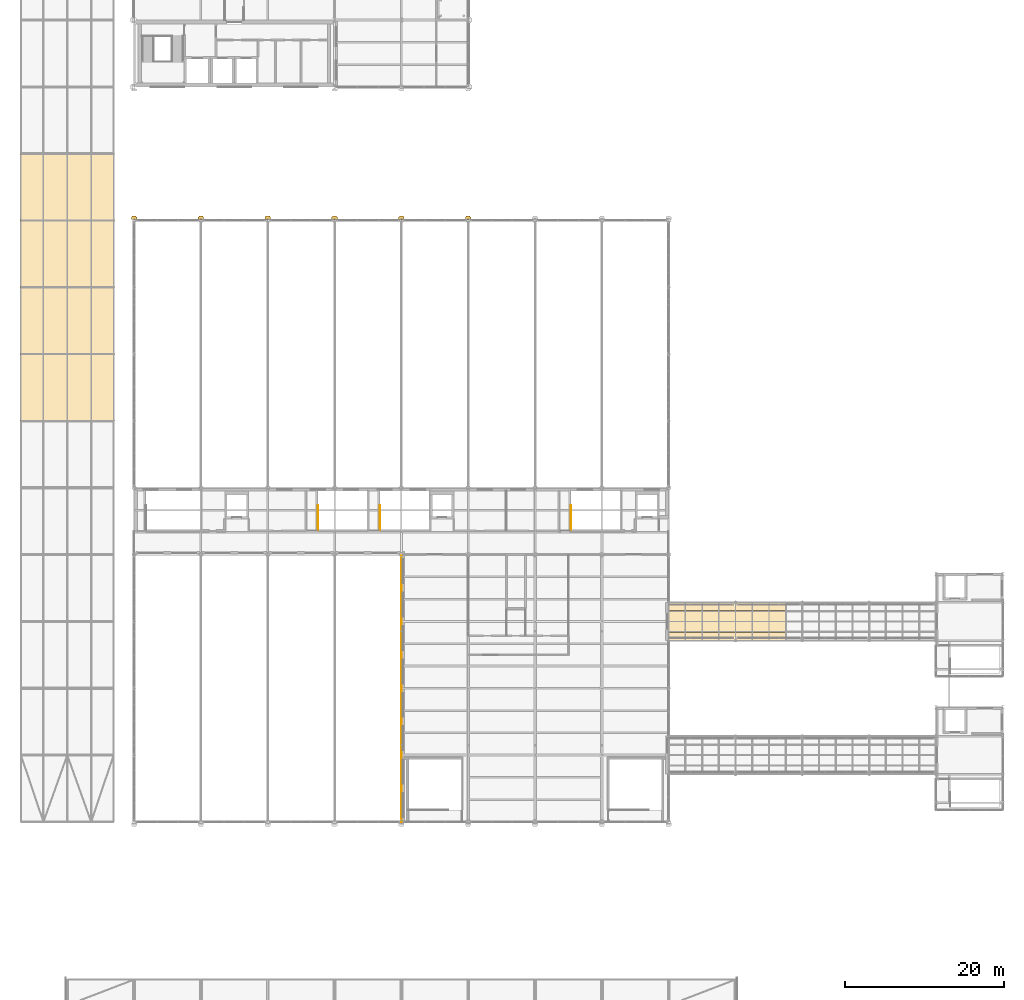
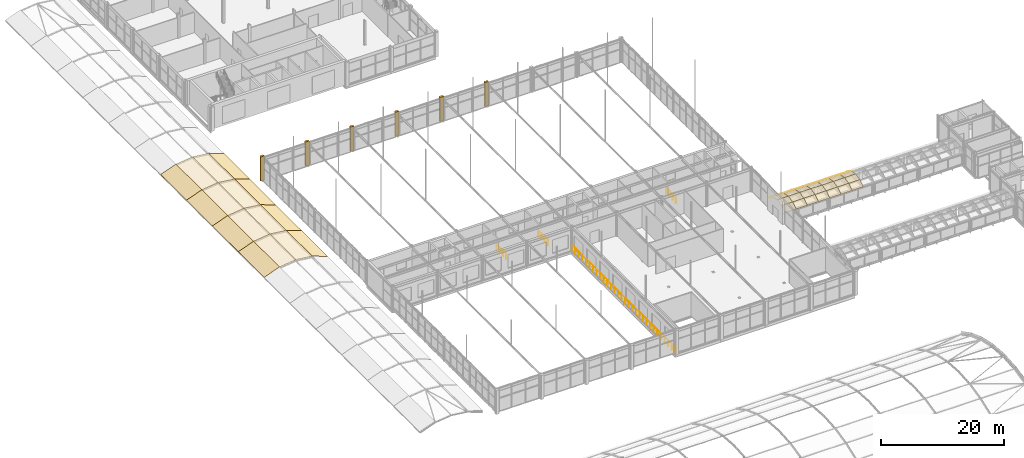
# One storey, part 161 of 167: 50 coverings, 4 railings.
"""IFC4 building model written with IfcOpenShell, lengths in metres."""

from ifc_helpers import new_model, si_unit, direction, frame, origin, origin_2d, place, context, subcontext, project, spatial, polyline, circle, outline, extrude, material, layer, layer_set, type_object, element, save


model = new_model("IFC4")

# Units and contexts
model_context = context("Model", 3, precision=1e-05, world=origin(), true_north=direction((0.0, 1.0)))
body_context = subcontext(model_context, "Body", "Model", "MODEL_VIEW")
ifc_project = project(units=[si_unit("LENGTHUNIT", "METRE"), si_unit("AREAUNIT", "SQUARE_METRE"), si_unit("VOLUMEUNIT", "CUBIC_METRE"), si_unit("PLANEANGLEUNIT", "RADIAN"), si_unit("MASSUNIT", "GRAM", prefix="KILO")], contexts=[model_context])

# Site, building, storey
site_placement = place(None, origin())
site = spatial("IfcSite", under=ifc_project, at=site_placement, CompositionType="ELEMENT")
building_placement = place(site_placement, origin())
building = spatial("IfcBuilding", under=site, at=building_placement, Name="Catenary Quay Ferry Terminal", CompositionType="ELEMENT")
storey_placement = place(building_placement, frame((0.0, 0.0, 6.0)))
storey = spatial("IfcBuildingStorey", under=building, at=storey_placement, Name="L01", CompositionType="ELEMENT", Elevation=6.0)

# Coverings
ifc_material_1 = material(Name="Ceramic tile")
ifc_layer_1 = layer(ifc_material_1, 0.0400390625)
ifc_layer_set_1 = layer_set([ifc_layer_1], Name="CL2")
covering_type_1 = type_object("IfcCoveringType", Name="CL2", PredefinedType="CLADDING", material=ifc_layer_set_1)
covering_1_placement = place(storey_placement, origin())
element("IfcCovering", 1, at=covering_1_placement, inside=storey, type_object=covering_type_1, Name="Ceramic pier casing", PredefinedType="CLADDING", context=body_context, shape_type="SweptSolid", body=[
    extrude(outline(polyline([(25.553955078125, 142.9541015625), (25.553955078125, 143.23388671875), (25.4541015625, 143.23388671875), (25.4541015625, 143.35400390625), (24.946044921875, 143.35400390625), (24.946044921875, 143.23388671875), (24.845947265625, 143.23388671875), (24.845947265625, 142.9541015625), (25.553955078125, 142.9541015625)])), origin(), (0.0, 0.0, 1.0), 4.800048828125),
])
covering_2_placement = place(storey_placement, origin())
element("IfcCovering", 2, at=covering_2_placement, inside=storey, type_object=covering_type_1, Name="Ceramic pier casing", PredefinedType="CLADDING", context=body_context, shape_type="SweptSolid", body=[
    extrude(outline(polyline([(33.9541015625, 142.9541015625), (33.9541015625, 143.23388671875), (33.85400390625, 143.23388671875), (33.85400390625, 143.35400390625), (33.345947265625, 143.35400390625), (33.345947265625, 143.23388671875), (33.24609375, 143.23388671875), (33.24609375, 142.9541015625), (33.9541015625, 142.9541015625)])), origin(), (0.0, 0.0, 1.0), 4.800048828125),
])
covering_3_placement = place(storey_placement, origin())
element("IfcCovering", 3, at=covering_3_placement, inside=storey, type_object=covering_type_1, Name="Ceramic pier casing", PredefinedType="CLADDING", context=body_context, shape_type="SweptSolid", body=[
    extrude(outline(polyline([(42.35400390625, 142.9541015625), (42.35400390625, 143.23388671875), (42.25390625, 143.23388671875), (42.25390625, 143.35400390625), (41.74609375, 143.35400390625), (41.74609375, 143.23388671875), (41.64599609375, 143.23388671875), (41.64599609375, 142.9541015625), (42.35400390625, 142.9541015625)])), origin(), (0.0, 0.0, 1.0), 4.800048828125),
])
covering_4_placement = place(storey_placement, origin())
element("IfcCovering", 4, at=covering_4_placement, inside=storey, type_object=covering_type_1, Name="Ceramic pier casing", PredefinedType="CLADDING", context=body_context, shape_type="SweptSolid", body=[
    extrude(outline(polyline([(50.75390625, 142.9541015625), (50.75390625, 143.23388671875), (50.654052734375, 143.23388671875), (50.654052734375, 143.35400390625), (50.14599609375, 143.35400390625), (50.14599609375, 143.23388671875), (50.0458984375, 143.23388671875), (50.0458984375, 142.9541015625), (50.75390625, 142.9541015625)])), origin(), (0.0, 0.0, 1.0), 4.800048828125),
])
covering_5_placement = place(storey_placement, origin())
element("IfcCovering", 5, at=covering_5_placement, inside=storey, type_object=covering_type_1, Name="Ceramic pier casing", PredefinedType="CLADDING", context=body_context, shape_type="SweptSolid", body=[
    extrude(outline(polyline([(59.154052734375, 142.9541015625), (59.154052734375, 143.23388671875), (59.053955078125, 143.23388671875), (59.053955078125, 143.35400390625), (58.5458984375, 143.35400390625), (58.5458984375, 143.23388671875), (58.446044921875, 143.23388671875), (58.446044921875, 142.9541015625), (59.154052734375, 142.9541015625)])), origin(), (0.0, 0.0, 1.0), 4.800048828125),
])
covering_6_placement = place(storey_placement, origin())
element("IfcCovering", 6, at=covering_6_placement, inside=storey, type_object=covering_type_1, Name="Ceramic pier casing", PredefinedType="CLADDING", context=body_context, shape_type="SweptSolid", body=[
    extrude(outline(polyline([(67.553955078125, 142.9541015625), (67.553955078125, 143.23388671875), (67.4541015625, 143.23388671875), (67.4541015625, 143.35400390625), (66.946044921875, 143.35400390625), (66.946044921875, 143.23388671875), (66.845947265625, 143.23388671875), (66.845947265625, 142.9541015625), (67.553955078125, 142.9541015625)])), origin(), (0.0, 0.0, 1.0), 4.800048828125),
])

# Railings
ifc_material_2 = material(Name="Steel and glass", Category="steel")
railing_type_1 = type_object("IfcRailingType", Name="GI1", PredefinedType="GUARDRAIL", material=ifc_material_2)
for number, where, name in (
    (7, (48.300048828125, 103.89990234375, 0.0), "TS2 well guard GI288"),
    (8, (80.10009765625, 103.89990234375, 0.0), "TS3 well guard GI298"),
    (9, (56.10009765625, 103.89990234375, 0.0), "TS4 well guard GI308"),
):
    element("IfcRailing", number, at=place(storey_placement, frame(where)), inside=storey, type_object=railing_type_1, Name=name, PredefinedType="GUARDRAIL", context=body_context, shape_type="SweptSolid", body=[
        extrude(circle(Radius=0.02392578125, at=origin_2d()), frame((0.0, 0.0, 1.076171875), z_axis=(0.0, 1.0, 0.0), x_axis=(-1.0, 0.0, 0.0)), (0.0, 0.0, 1.0), 3.10009765625),
        extrude(circle(Radius=0.02099609375, at=origin_2d()), origin(), (0.0, 0.0, 1.0), 1.052001953125),
        extrude(circle(Radius=0.02099609375, at=origin_2d()), frame((0.0, 1.033447265625, 0.0)), (0.0, 0.0, 1.0), 1.052001953125),
        extrude(circle(Radius=0.02099609375, at=origin_2d()), frame((0.0, 2.066650390625, 0.0)), (0.0, 0.0, 1.0), 1.052001953125),
        extrude(circle(Radius=0.02099609375, at=origin_2d()), frame((0.0, 3.10009765625, 0.0)), (0.0, 0.0, 1.0), 1.052001953125),
    ])
ifc_material_3 = material(Name="Steel and glass", Category="steel")
railing_type_2 = type_object("IfcRailingType", Name="GI2", PredefinedType="GUARDRAIL", material=ifc_material_3)
railing_placement = place(storey_placement, frame((58.800048828125, 67.199951171875, 0.0)))
element("IfcRailing", 10, at=railing_placement, inside=storey, type_object=railing_type_2, Name="GR mezz guard GI2", PredefinedType="GUARDRAIL", context=body_context, shape_type="SweptSolid", body=[
    extrude(circle(Radius=0.02392578125, at=origin_2d()), frame((0.0, 0.0, 1.076171875), z_axis=(0.0, 1.0, 0.0), x_axis=(-1.0, 0.0, 0.0)), (0.0, 0.0, 1.0), 33.60009765625),
    extrude(circle(Radius=0.02099609375, at=origin_2d()), origin(), (0.0, 0.0, 1.0), 1.052001953125),
    extrude(circle(Radius=0.02099609375, at=origin_2d()), frame((0.0, 1.15869140625, 0.0)), (0.0, 0.0, 1.0), 1.052001953125),
    extrude(circle(Radius=0.02099609375, at=origin_2d()), frame((0.0, 2.317138671875, 0.0)), (0.0, 0.0, 1.0), 1.052001953125),
    extrude(circle(Radius=0.02099609375, at=origin_2d()), frame((0.0, 3.475830078125, 0.0)), (0.0, 0.0, 1.0), 1.052001953125),
    extrude(circle(Radius=0.02099609375, at=origin_2d()), frame((0.0, 4.634521484375, 0.0)), (0.0, 0.0, 1.0), 1.052001953125),
    extrude(circle(Radius=0.02099609375, at=origin_2d()), frame((0.0, 5.793212890625, 0.0)), (0.0, 0.0, 1.0), 1.052001953125),
    extrude(circle(Radius=0.02099609375, at=origin_2d()), frame((0.0, 6.95166015625, 0.0)), (0.0, 0.0, 1.0), 1.052001953125),
    extrude(circle(Radius=0.02099609375, at=origin_2d()), frame((0.0, 8.1103515625, 0.0)), (0.0, 0.0, 1.0), 1.052001953125),
    extrude(circle(Radius=0.02099609375, at=origin_2d()), frame((0.0, 9.26904296875, 0.0)), (0.0, 0.0, 1.0), 1.052001953125),
    extrude(circle(Radius=0.02099609375, at=origin_2d()), frame((0.0, 10.427734375, 0.0)), (0.0, 0.0, 1.0), 1.052001953125),
    extrude(circle(Radius=0.02099609375, at=origin_2d()), frame((0.0, 11.586181640625, 0.0)), (0.0, 0.0, 1.0), 1.052001953125),
    extrude(circle(Radius=0.02099609375, at=origin_2d()), frame((0.0, 12.744873046875, 0.0)), (0.0, 0.0, 1.0), 1.052001953125),
    extrude(circle(Radius=0.02099609375, at=origin_2d()), frame((0.0, 13.903564453125, 0.0)), (0.0, 0.0, 1.0), 1.052001953125),
    extrude(circle(Radius=0.02099609375, at=origin_2d()), frame((0.0, 15.06201171875, 0.0)), (0.0, 0.0, 1.0), 1.052001953125),
    extrude(circle(Radius=0.02099609375, at=origin_2d()), frame((0.0, 16.220703125, 0.0)), (0.0, 0.0, 1.0), 1.052001953125),
    extrude(circle(Radius=0.02099609375, at=origin_2d()), frame((0.0, 17.37939453125, 0.0)), (0.0, 0.0, 1.0), 1.052001953125),
    extrude(circle(Radius=0.02099609375, at=origin_2d()), frame((0.0, 18.5380859375, 0.0)), (0.0, 0.0, 1.0), 1.052001953125),
    extrude(circle(Radius=0.02099609375, at=origin_2d()), frame((0.0, 19.696533203125, 0.0)), (0.0, 0.0, 1.0), 1.052001953125),
    extrude(circle(Radius=0.02099609375, at=origin_2d()), frame((0.0, 20.855224609375, 0.0)), (0.0, 0.0, 1.0), 1.052001953125),
    extrude(circle(Radius=0.02099609375, at=origin_2d()), frame((0.0, 22.013916015625, 0.0)), (0.0, 0.0, 1.0), 1.052001953125),
    extrude(circle(Radius=0.02099609375, at=origin_2d()), frame((0.0, 23.17236328125, 0.0)), (0.0, 0.0, 1.0), 1.052001953125),
    extrude(circle(Radius=0.02099609375, at=origin_2d()), frame((0.0, 24.3310546875, 0.0)), (0.0, 0.0, 1.0), 1.052001953125),
    extrude(circle(Radius=0.02099609375, at=origin_2d()), frame((0.0, 25.48974609375, 0.0)), (0.0, 0.0, 1.0), 1.052001953125),
    extrude(circle(Radius=0.02099609375, at=origin_2d()), frame((0.0, 26.6484375, 0.0)), (0.0, 0.0, 1.0), 1.052001953125),
    extrude(circle(Radius=0.02099609375, at=origin_2d()), frame((0.0, 27.806884765625, 0.0)), (0.0, 0.0, 1.0), 1.052001953125),
    extrude(circle(Radius=0.02099609375, at=origin_2d()), frame((0.0, 28.965576171875, 0.0)), (0.0, 0.0, 1.0), 1.052001953125),
    extrude(circle(Radius=0.02099609375, at=origin_2d()), frame((0.0, 30.124267578125, 0.0)), (0.0, 0.0, 1.0), 1.052001953125),
    extrude(circle(Radius=0.02099609375, at=origin_2d()), frame((0.0, 31.282958984375, 0.0)), (0.0, 0.0, 1.0), 1.052001953125),
    extrude(circle(Radius=0.02099609375, at=origin_2d()), frame((0.0, 32.44140625, 0.0)), (0.0, 0.0, 1.0), 1.052001953125),
    extrude(circle(Radius=0.02099609375, at=origin_2d()), frame((0.0, 33.60009765625, 0.0)), (0.0, 0.0, 1.0), 1.052001953125),
])

# Coverings
ifc_material_4 = material(Name="Laminated glass", Category="glass")
ifc_layer_2 = layer(ifc_material_4, 0.030029296875)
ifc_layer_set_2 = layer_set([ifc_layer_2], Name="RF2")
covering_type_2 = type_object("IfcCoveringType", Name="RF2", PredefinedType="ROOFING", material=ifc_layer_set_2)
covering_7_placement = place(storey_placement, frame((10.858154296875, 117.60009765625, 1.2158203125), z_axis=(-0.346768604163, 0.0, 0.937950710414), x_axis=(0.0, 1.0, 0.0)))
element("IfcCovering", 11, at=covering_7_placement, inside=storey, type_object=covering_type_2, Name="Forecourt canopy roof", PredefinedType="ROOFING", context=body_context, shape_type="SweptSolid", body=[
    extrude(outline(polyline([(0.0, 0.0), (8.39990234375, 0.0), (8.39990234375, -3.0745635463365493), (0.0, -3.0745635463365493), (0.0, 0.0)])), origin(), (0.0, 0.0, -1.0), 0.031982421875),
])
covering_8_placement = place(storey_placement, frame((13.741943359375, 117.60009765625, 2.281982421875), z_axis=(-0.122181619395, 0.0, 0.992507759104), x_axis=(0.0, 1.0, 0.0)))
element("IfcCovering", 12, at=covering_8_placement, inside=storey, type_object=covering_type_2, Name="Forecourt canopy roof", PredefinedType="ROOFING", context=body_context, shape_type="SweptSolid", body=[
    extrude(outline(polyline([(0.0, 0.0), (8.39990234375, 0.0), (8.39990234375, -3.0811904901479834), (0.0, -3.0811904901479834), (0.0, 0.0)])), origin(), (0.0, 0.0, -1.0), 0.0302734375),
])
covering_9_placement = place(storey_placement, frame((16.800048828125, 117.60009765625, 2.658447265625), z_axis=(0.122191228771, 0.0, 0.992506576105), x_axis=(0.0, 1.0, 0.0)))
element("IfcCovering", 13, at=covering_9_placement, inside=storey, type_object=covering_type_2, Name="Forecourt canopy roof", PredefinedType="ROOFING", context=body_context, shape_type="SweptSolid", body=[
    extrude(outline(polyline([(0.0, 0.0), (8.39990234375, 0.0), (8.39990234375, -3.080948178827762), (0.0, -3.080948178827762), (0.0, 0.0)])), origin(), (0.0, 0.0, -1.0), 0.0302734375),
])
for number, where, z_axis, x_axis, name in (
    (14, (19.85791015625, 117.60009765625, 2.281982421875), (0.346768604163, 0.0, 0.937950710414), (0.0, 1.0, 0.0), "Forecourt canopy roof"),
    (15, (10.858154296875, 126.0, 1.2158203125), (-0.346768604163, 0.0, 0.937950710414), (0.0, 1.0, 0.0), "Forecourt canopy roof"),
):
    element("IfcCovering", number, at=place(storey_placement, frame(where, z_axis=z_axis, x_axis=x_axis)), inside=storey, type_object=covering_type_2, Name=name, PredefinedType="ROOFING", context=body_context, shape_type="SweptSolid", body=[
        extrude(outline(polyline([(0.0, 0.0), (8.39990234375, 0.0), (8.39990234375, -3.0745635463365493), (0.0, -3.0745635463365493), (0.0, 0.0)])), origin(), (0.0, 0.0, -1.0), 0.031982421875),
    ])
covering_10_placement = place(storey_placement, frame((13.741943359375, 126.0, 2.281982421875), z_axis=(-0.122181619395, 0.0, 0.992507759104), x_axis=(0.0, 1.0, 0.0)))
element("IfcCovering", 16, at=covering_10_placement, inside=storey, type_object=covering_type_2, Name="Forecourt canopy roof", PredefinedType="ROOFING", context=body_context, shape_type="SweptSolid", body=[
    extrude(outline(polyline([(0.0, 0.0), (8.39990234375, 0.0), (8.39990234375, -3.0811904901479834), (0.0, -3.0811904901479834), (0.0, 0.0)])), origin(), (0.0, 0.0, -1.0), 0.0302734375),
])
covering_11_placement = place(storey_placement, frame((16.800048828125, 126.0, 2.658447265625), z_axis=(0.122191228771, 0.0, 0.992506576105), x_axis=(0.0, 1.0, 0.0)))
element("IfcCovering", 17, at=covering_11_placement, inside=storey, type_object=covering_type_2, Name="Forecourt canopy roof", PredefinedType="ROOFING", context=body_context, shape_type="SweptSolid", body=[
    extrude(outline(polyline([(0.0, 0.0), (8.39990234375, 0.0), (8.39990234375, -3.080948178827762), (0.0, -3.080948178827762), (0.0, 0.0)])), origin(), (0.0, 0.0, -1.0), 0.0302734375),
])
covering_12_placement = place(storey_placement, frame((19.85791015625, 126.0, 2.281982421875), z_axis=(0.346768604163, 0.0, 0.937950710414), x_axis=(0.0, 1.0, 0.0)))
element("IfcCovering", 18, at=covering_12_placement, inside=storey, type_object=covering_type_2, Name="Forecourt canopy roof", PredefinedType="ROOFING", context=body_context, shape_type="SweptSolid", body=[
    extrude(outline(polyline([(0.0, 0.0), (8.39990234375, 0.0), (8.39990234375, -3.0745635463365493), (0.0, -3.0745635463365493), (0.0, 0.0)])), origin(), (0.0, 0.0, -1.0), 0.031982421875),
])
covering_13_placement = place(storey_placement, frame((10.858154296875, 134.39990234375, 1.2158203125), z_axis=(-0.346768604163, 0.0, 0.937950710414), x_axis=(0.0, 1.0, 0.0)))
element("IfcCovering", 19, at=covering_13_placement, inside=storey, type_object=covering_type_2, Name="Forecourt canopy roof", PredefinedType="ROOFING", context=body_context, shape_type="SweptSolid", body=[
    extrude(outline(polyline([(0.0, 0.0), (8.400146484375, 0.0), (8.400146484375, -3.0745635463365493), (0.0, -3.0745635463365493), (0.0, 0.0)])), origin(), (0.0, 0.0, -1.0), 0.031982421875),
])
covering_14_placement = place(storey_placement, frame((13.741943359375, 134.39990234375, 2.281982421875), z_axis=(-0.122181619395, 0.0, 0.992507759104), x_axis=(0.0, 1.0, 0.0)))
element("IfcCovering", 20, at=covering_14_placement, inside=storey, type_object=covering_type_2, Name="Forecourt canopy roof", PredefinedType="ROOFING", context=body_context, shape_type="SweptSolid", body=[
    extrude(outline(polyline([(0.0, 0.0), (8.400146484375, 0.0), (8.400146484375, -3.0811904901479834), (0.0, -3.0811904901479834), (0.0, 0.0)])), origin(), (0.0, 0.0, -1.0), 0.0302734375),
])
covering_15_placement = place(storey_placement, frame((16.800048828125, 134.39990234375, 2.658447265625), z_axis=(0.122191228771, 0.0, 0.992506576105), x_axis=(0.0, 1.0, 0.0)))
element("IfcCovering", 21, at=covering_15_placement, inside=storey, type_object=covering_type_2, Name="Forecourt canopy roof", PredefinedType="ROOFING", context=body_context, shape_type="SweptSolid", body=[
    extrude(outline(polyline([(0.0, 0.0), (8.400146484375, 0.0), (8.400146484375, -3.0809481788277613), (0.0, -3.0809481788277613), (0.0, 0.0)])), origin(), (0.0, 0.0, -1.0), 0.0302734375),
])
covering_16_placement = place(storey_placement, frame((19.85791015625, 134.39990234375, 2.281982421875), z_axis=(0.346768604163, 0.0, 0.937950710414), x_axis=(0.0, 1.0, 0.0)))
element("IfcCovering", 22, at=covering_16_placement, inside=storey, type_object=covering_type_2, Name="Forecourt canopy roof", PredefinedType="ROOFING", context=body_context, shape_type="SweptSolid", body=[
    extrude(outline(polyline([(0.0, 0.0), (8.400146484375, 0.0), (8.400146484375, -3.0745635463365493), (0.0, -3.0745635463365493), (0.0, 0.0)])), origin(), (0.0, 0.0, -1.0), 0.031982421875),
])
covering_17_placement = place(storey_placement, frame((10.858154296875, 142.800048828125, 1.2158203125), z_axis=(-0.346768604163, 0.0, 0.937950710414), x_axis=(0.0, 1.0, 0.0)))
element("IfcCovering", 23, at=covering_17_placement, inside=storey, type_object=covering_type_2, Name="Forecourt canopy roof", PredefinedType="ROOFING", context=body_context, shape_type="SweptSolid", body=[
    extrude(outline(polyline([(0.0, 0.0), (8.39990234375, 0.0), (8.39990234375, -3.0745635463365493), (0.0, -3.0745635463365493), (0.0, 0.0)])), origin(), (0.0, 0.0, -1.0), 0.031982421875),
])
covering_18_placement = place(storey_placement, frame((13.741943359375, 142.800048828125, 2.281982421875), z_axis=(-0.122181619395, 0.0, 0.992507759104), x_axis=(0.0, 1.0, 0.0)))
element("IfcCovering", 24, at=covering_18_placement, inside=storey, type_object=covering_type_2, Name="Forecourt canopy roof", PredefinedType="ROOFING", context=body_context, shape_type="SweptSolid", body=[
    extrude(outline(polyline([(0.0, 0.0), (8.39990234375, 0.0), (8.39990234375, -3.0811904901479834), (0.0, -3.0811904901479834), (0.0, 0.0)])), origin(), (0.0, 0.0, -1.0), 0.0302734375),
])
covering_19_placement = place(storey_placement, frame((16.800048828125, 142.800048828125, 2.658447265625), z_axis=(0.122191228771, 0.0, 0.992506576105), x_axis=(0.0, 1.0, 0.0)))
element("IfcCovering", 25, at=covering_19_placement, inside=storey, type_object=covering_type_2, Name="Forecourt canopy roof", PredefinedType="ROOFING", context=body_context, shape_type="SweptSolid", body=[
    extrude(outline(polyline([(0.0, 0.0), (8.39990234375, 0.0), (8.39990234375, -3.080948178827762), (0.0, -3.080948178827762), (0.0, 0.0)])), origin(), (0.0, 0.0, -1.0), 0.0302734375),
])
covering_20_placement = place(storey_placement, frame((19.85791015625, 142.800048828125, 2.281982421875), z_axis=(0.346768604163, 0.0, 0.937950710414), x_axis=(0.0, 1.0, 0.0)))
element("IfcCovering", 26, at=covering_20_placement, inside=storey, type_object=covering_type_2, Name="Forecourt canopy roof", PredefinedType="ROOFING", context=body_context, shape_type="SweptSolid", body=[
    extrude(outline(polyline([(0.0, 0.0), (8.39990234375, 0.0), (8.39990234375, -3.0745635463365493), (0.0, -3.0745635463365493), (0.0, 0.0)])), origin(), (0.0, 0.0, -1.0), 0.031982421875),
])
covering_21_placement = place(storey_placement, frame((92.39990234375, 89.888671875, 2.27099609375), z_axis=(0.0, -0.5454678985, 0.83813171501), x_axis=(1.0, 0.0, 0.0)))
element("IfcCovering", 27, at=covering_21_placement, inside=storey, type_object=covering_type_2, Name="Boarding Bridge 2 roof", PredefinedType="ROOFING", context=body_context, shape_type="SweptSolid", body=[
    extrude(outline(polyline([(0.0, 0.0), (2.10009765625, 0.0), (2.10009765625, 1.359748613601261), (0.0, 1.359748613601261), (0.0, 0.0)])), origin(), (0.0, 0.0, -1.0), 0.035888671875),
])
covering_22_placement = place(storey_placement, frame((92.39990234375, 91.0283203125, 3.0126953125), z_axis=(0.0, -0.211049761699, 0.977475318403), x_axis=(1.0, 0.0, 0.0)))
element("IfcCovering", 28, at=covering_22_placement, inside=storey, type_object=covering_type_2, Name="Boarding Bridge 2 roof", PredefinedType="ROOFING", context=body_context, shape_type="SweptSolid", body=[
    extrude(outline(polyline([(0.0, 0.0), (2.10009765625, 0.0), (2.10009765625, 1.4031884032539599), (0.0, 1.4031884032539599), (0.0, 0.0)])), origin(), (0.0, 0.0, -1.0), 0.03076171875),
])
covering_23_placement = place(storey_placement, frame((92.39990234375, 92.39990234375, 3.308837890625), z_axis=(0.0, 0.211013874249, 0.977483066285), x_axis=(1.0, 0.0, 0.0)))
element("IfcCovering", 29, at=covering_23_placement, inside=storey, type_object=covering_type_2, Name="Boarding Bridge 2 roof", PredefinedType="ROOFING", context=body_context, shape_type="SweptSolid", body=[
    extrude(outline(polyline([(0.0, 0.0), (2.10009765625, 0.0), (2.10009765625, 1.4034270456349835), (0.0, 1.4034270456349835), (0.0, 0.0)])), origin(), (0.0, 0.0, -1.0), 0.03076171875),
])
for number, where, z_axis, x_axis, name in (
    (30, (92.39990234375, 93.771728515625, 3.0126953125), (0.0, 0.5454678985, 0.83813171501), (1.0, 0.0, 0.0), "Boarding Bridge 2 roof"),
    (31, (94.5, 89.888671875, 2.27099609375), (0.0, -0.5454678985, 0.83813171501), (1.0, 0.0, 0.0), "Boarding Bridge 2 roof"),
):
    element("IfcCovering", number, at=place(storey_placement, frame(where, z_axis=z_axis, x_axis=x_axis)), inside=storey, type_object=covering_type_2, Name=name, PredefinedType="ROOFING", context=body_context, shape_type="SweptSolid", body=[
        extrude(outline(polyline([(0.0, 0.0), (2.10009765625, 0.0), (2.10009765625, 1.359748613601261), (0.0, 1.359748613601261), (0.0, 0.0)])), origin(), (0.0, 0.0, -1.0), 0.035888671875),
    ])
covering_24_placement = place(storey_placement, frame((94.5, 91.0283203125, 3.0126953125), z_axis=(0.0, -0.211049761699, 0.977475318403), x_axis=(1.0, 0.0, 0.0)))
element("IfcCovering", 32, at=covering_24_placement, inside=storey, type_object=covering_type_2, Name="Boarding Bridge 2 roof", PredefinedType="ROOFING", context=body_context, shape_type="SweptSolid", body=[
    extrude(outline(polyline([(0.0, 0.0), (2.10009765625, 0.0), (2.10009765625, 1.4031884032539599), (0.0, 1.4031884032539599), (0.0, 0.0)])), origin(), (0.0, 0.0, -1.0), 0.03076171875),
])
covering_25_placement = place(storey_placement, frame((94.5, 92.39990234375, 3.308837890625), z_axis=(0.0, 0.211013874249, 0.977483066285), x_axis=(1.0, 0.0, 0.0)))
element("IfcCovering", 33, at=covering_25_placement, inside=storey, type_object=covering_type_2, Name="Boarding Bridge 2 roof", PredefinedType="ROOFING", context=body_context, shape_type="SweptSolid", body=[
    extrude(outline(polyline([(0.0, 0.0), (2.10009765625, 0.0), (2.10009765625, 1.4034270456349835), (0.0, 1.4034270456349835), (0.0, 0.0)])), origin(), (0.0, 0.0, -1.0), 0.03076171875),
])
covering_26_placement = place(storey_placement, frame((94.5, 93.771728515625, 3.0126953125), z_axis=(0.0, 0.5454678985, 0.83813171501), x_axis=(1.0, 0.0, 0.0)))
element("IfcCovering", 34, at=covering_26_placement, inside=storey, type_object=covering_type_2, Name="Boarding Bridge 2 roof", PredefinedType="ROOFING", context=body_context, shape_type="SweptSolid", body=[
    extrude(outline(polyline([(0.0, 0.0), (2.10009765625, 0.0), (2.10009765625, 1.359748613601261), (0.0, 1.359748613601261), (0.0, 0.0)])), origin(), (0.0, 0.0, -1.0), 0.035888671875),
])
covering_27_placement = place(storey_placement, frame((96.60009765625, 89.888671875, 2.27099609375), z_axis=(0.0, -0.5454678985, 0.83813171501), x_axis=(1.0, 0.0, 0.0)))
element("IfcCovering", 35, at=covering_27_placement, inside=storey, type_object=covering_type_2, Name="Boarding Bridge 2 roof", PredefinedType="ROOFING", context=body_context, shape_type="SweptSolid", body=[
    extrude(outline(polyline([(0.0, 0.0), (2.099853515625, 0.0), (2.099853515625, 1.359748613601261), (0.0, 1.359748613601261), (0.0, 0.0)])), origin(), (0.0, 0.0, -1.0), 0.035888671875),
])
covering_28_placement = place(storey_placement, frame((96.60009765625, 91.0283203125, 3.0126953125), z_axis=(0.0, -0.211049761699, 0.977475318403), x_axis=(1.0, 0.0, 0.0)))
element("IfcCovering", 36, at=covering_28_placement, inside=storey, type_object=covering_type_2, Name="Boarding Bridge 2 roof", PredefinedType="ROOFING", context=body_context, shape_type="SweptSolid", body=[
    extrude(outline(polyline([(0.0, 0.0), (2.099853515625, 0.0), (2.099853515625, 1.4031884032539599), (0.0, 1.4031884032539599), (0.0, 0.0)])), origin(), (0.0, 0.0, -1.0), 0.03076171875),
])
covering_29_placement = place(storey_placement, frame((96.60009765625, 92.39990234375, 3.308837890625), z_axis=(0.0, 0.211013874249, 0.977483066285), x_axis=(1.0, 0.0, 0.0)))
element("IfcCovering", 37, at=covering_29_placement, inside=storey, type_object=covering_type_2, Name="Boarding Bridge 2 roof", PredefinedType="ROOFING", context=body_context, shape_type="SweptSolid", body=[
    extrude(outline(polyline([(0.0, 0.0), (2.099853515625, 0.0), (2.099853515625, 1.4034270456349838), (0.0, 1.4034270456349838), (0.0, 0.0)])), origin(), (0.0, 0.0, -1.0), 0.03076171875),
])
covering_30_placement = place(storey_placement, frame((96.60009765625, 93.771728515625, 3.0126953125), z_axis=(0.0, 0.5454678985, 0.83813171501), x_axis=(1.0, 0.0, 0.0)))
element("IfcCovering", 38, at=covering_30_placement, inside=storey, type_object=covering_type_2, Name="Boarding Bridge 2 roof", PredefinedType="ROOFING", context=body_context, shape_type="SweptSolid", body=[
    extrude(outline(polyline([(0.0, 0.0), (2.099853515625, 0.0), (2.099853515625, 1.359748613601261), (0.0, 1.359748613601261), (0.0, 0.0)])), origin(), (0.0, 0.0, -1.0), 0.035888671875),
])
covering_31_placement = place(storey_placement, frame((98.699951171875, 89.888671875, 2.27099609375), z_axis=(0.0, -0.5454678985, 0.83813171501), x_axis=(1.0, 0.0, 0.0)))
element("IfcCovering", 39, at=covering_31_placement, inside=storey, type_object=covering_type_2, Name="Boarding Bridge 2 roof", PredefinedType="ROOFING", context=body_context, shape_type="SweptSolid", body=[
    extrude(outline(polyline([(0.0, 0.0), (2.10009765625, 0.0), (2.10009765625, 1.359748613601261), (0.0, 1.359748613601261), (0.0, 0.0)])), origin(), (0.0, 0.0, -1.0), 0.035888671875),
])
covering_32_placement = place(storey_placement, frame((98.699951171875, 91.0283203125, 3.0126953125), z_axis=(0.0, -0.211049761699, 0.977475318403), x_axis=(1.0, 0.0, 0.0)))
element("IfcCovering", 40, at=covering_32_placement, inside=storey, type_object=covering_type_2, Name="Boarding Bridge 2 roof", PredefinedType="ROOFING", context=body_context, shape_type="SweptSolid", body=[
    extrude(outline(polyline([(0.0, 0.0), (2.10009765625, 0.0), (2.10009765625, 1.4031884032539599), (0.0, 1.4031884032539599), (0.0, 0.0)])), origin(), (0.0, 0.0, -1.0), 0.03076171875),
])
covering_33_placement = place(storey_placement, frame((98.699951171875, 92.39990234375, 3.308837890625), z_axis=(0.0, 0.211013874249, 0.977483066285), x_axis=(1.0, 0.0, 0.0)))
element("IfcCovering", 41, at=covering_33_placement, inside=storey, type_object=covering_type_2, Name="Boarding Bridge 2 roof", PredefinedType="ROOFING", context=body_context, shape_type="SweptSolid", body=[
    extrude(outline(polyline([(0.0, 0.0), (2.10009765625, 0.0), (2.10009765625, 1.4034270456349835), (0.0, 1.4034270456349835), (0.0, 0.0)])), origin(), (0.0, 0.0, -1.0), 0.03076171875),
])
covering_34_placement = place(storey_placement, frame((98.699951171875, 93.771728515625, 3.0126953125), z_axis=(0.0, 0.5454678985, 0.83813171501), x_axis=(1.0, 0.0, 0.0)))
element("IfcCovering", 42, at=covering_34_placement, inside=storey, type_object=covering_type_2, Name="Boarding Bridge 2 roof", PredefinedType="ROOFING", context=body_context, shape_type="SweptSolid", body=[
    extrude(outline(polyline([(0.0, 0.0), (2.10009765625, 0.0), (2.10009765625, 1.359748613601261), (0.0, 1.359748613601261), (0.0, 0.0)])), origin(), (0.0, 0.0, -1.0), 0.035888671875),
])
covering_35_placement = place(storey_placement, frame((100.800048828125, 89.888671875, 2.27099609375), z_axis=(0.0, -0.5454678985, 0.83813171501), x_axis=(1.0, 0.0, 0.0)))
element("IfcCovering", 43, at=covering_35_placement, inside=storey, type_object=covering_type_2, Name="Boarding Bridge 2 roof", PredefinedType="ROOFING", context=body_context, shape_type="SweptSolid", body=[
    extrude(outline(polyline([(0.0, 0.0), (2.099853515625, 0.0), (2.099853515625, 1.359748613601261), (0.0, 1.359748613601261), (0.0, 0.0)])), origin(), (0.0, 0.0, -1.0), 0.035888671875),
])
covering_36_placement = place(storey_placement, frame((100.800048828125, 91.0283203125, 3.0126953125), z_axis=(0.0, -0.211049761699, 0.977475318403), x_axis=(1.0, 0.0, 0.0)))
element("IfcCovering", 44, at=covering_36_placement, inside=storey, type_object=covering_type_2, Name="Boarding Bridge 2 roof", PredefinedType="ROOFING", context=body_context, shape_type="SweptSolid", body=[
    extrude(outline(polyline([(0.0, 0.0), (2.099853515625, 0.0), (2.099853515625, 1.4031884032539599), (0.0, 1.4031884032539599), (0.0, 0.0)])), origin(), (0.0, 0.0, -1.0), 0.03076171875),
])
covering_37_placement = place(storey_placement, frame((100.800048828125, 92.39990234375, 3.308837890625), z_axis=(0.0, 0.211013874249, 0.977483066285), x_axis=(1.0, 0.0, 0.0)))
element("IfcCovering", 45, at=covering_37_placement, inside=storey, type_object=covering_type_2, Name="Boarding Bridge 2 roof", PredefinedType="ROOFING", context=body_context, shape_type="SweptSolid", body=[
    extrude(outline(polyline([(0.0, 0.0), (2.099853515625, 0.0), (2.099853515625, 1.4034270456349838), (0.0, 1.4034270456349838), (0.0, 0.0)])), origin(), (0.0, 0.0, -1.0), 0.03076171875),
])
covering_38_placement = place(storey_placement, frame((100.800048828125, 93.771728515625, 3.0126953125), z_axis=(0.0, 0.5454678985, 0.83813171501), x_axis=(1.0, 0.0, 0.0)))
element("IfcCovering", 46, at=covering_38_placement, inside=storey, type_object=covering_type_2, Name="Boarding Bridge 2 roof", PredefinedType="ROOFING", context=body_context, shape_type="SweptSolid", body=[
    extrude(outline(polyline([(0.0, 0.0), (2.099853515625, 0.0), (2.099853515625, 1.359748613601261), (0.0, 1.359748613601261), (0.0, 0.0)])), origin(), (0.0, 0.0, -1.0), 0.035888671875),
])
covering_39_placement = place(storey_placement, frame((102.89990234375, 89.888671875, 2.27099609375), z_axis=(0.0, -0.5454678985, 0.83813171501), x_axis=(1.0, 0.0, 0.0)))
element("IfcCovering", 47, at=covering_39_placement, inside=storey, type_object=covering_type_2, Name="Boarding Bridge 2 roof", PredefinedType="ROOFING", context=body_context, shape_type="SweptSolid", body=[
    extrude(outline(polyline([(0.0, 0.0), (2.10009765625, 0.0), (2.10009765625, 1.359748613601261), (0.0, 1.359748613601261), (0.0, 0.0)])), origin(), (0.0, 0.0, -1.0), 0.035888671875),
])
covering_40_placement = place(storey_placement, frame((102.89990234375, 91.0283203125, 3.0126953125), z_axis=(0.0, -0.211049761699, 0.977475318403), x_axis=(1.0, 0.0, 0.0)))
element("IfcCovering", 48, at=covering_40_placement, inside=storey, type_object=covering_type_2, Name="Boarding Bridge 2 roof", PredefinedType="ROOFING", context=body_context, shape_type="SweptSolid", body=[
    extrude(outline(polyline([(0.0, 0.0), (2.10009765625, 0.0), (2.10009765625, 1.4031884032539599), (0.0, 1.4031884032539599), (0.0, 0.0)])), origin(), (0.0, 0.0, -1.0), 0.03076171875),
])
covering_41_placement = place(storey_placement, frame((102.89990234375, 92.39990234375, 3.308837890625), z_axis=(0.0, 0.211013874249, 0.977483066285), x_axis=(1.0, 0.0, 0.0)))
element("IfcCovering", 49, at=covering_41_placement, inside=storey, type_object=covering_type_2, Name="Boarding Bridge 2 roof", PredefinedType="ROOFING", context=body_context, shape_type="SweptSolid", body=[
    extrude(outline(polyline([(0.0, 0.0), (2.10009765625, 0.0), (2.10009765625, 1.4034270456349835), (0.0, 1.4034270456349835), (0.0, 0.0)])), origin(), (0.0, 0.0, -1.0), 0.03076171875),
])
for number, where, z_axis, x_axis, name in (
    (50, (102.89990234375, 93.771728515625, 3.0126953125), (0.0, 0.5454678985, 0.83813171501), (1.0, 0.0, 0.0), "Boarding Bridge 2 roof"),
    (51, (105.0, 89.888671875, 2.27099609375), (0.0, -0.5454678985, 0.83813171501), (1.0, 0.0, 0.0), "Boarding Bridge 2 roof"),
):
    element("IfcCovering", number, at=place(storey_placement, frame(where, z_axis=z_axis, x_axis=x_axis)), inside=storey, type_object=covering_type_2, Name=name, PredefinedType="ROOFING", context=body_context, shape_type="SweptSolid", body=[
        extrude(outline(polyline([(0.0, 0.0), (2.10009765625, 0.0), (2.10009765625, 1.359748613601261), (0.0, 1.359748613601261), (0.0, 0.0)])), origin(), (0.0, 0.0, -1.0), 0.035888671875),
    ])
covering_42_placement = place(storey_placement, frame((105.0, 91.0283203125, 3.0126953125), z_axis=(0.0, -0.211049761699, 0.977475318403), x_axis=(1.0, 0.0, 0.0)))
element("IfcCovering", 52, at=covering_42_placement, inside=storey, type_object=covering_type_2, Name="Boarding Bridge 2 roof", PredefinedType="ROOFING", context=body_context, shape_type="SweptSolid", body=[
    extrude(outline(polyline([(0.0, 0.0), (2.10009765625, 0.0), (2.10009765625, 1.4031884032539599), (0.0, 1.4031884032539599), (0.0, 0.0)])), origin(), (0.0, 0.0, -1.0), 0.03076171875),
])
covering_43_placement = place(storey_placement, frame((105.0, 92.39990234375, 3.308837890625), z_axis=(0.0, 0.211013874249, 0.977483066285), x_axis=(1.0, 0.0, 0.0)))
element("IfcCovering", 53, at=covering_43_placement, inside=storey, type_object=covering_type_2, Name="Boarding Bridge 2 roof", PredefinedType="ROOFING", context=body_context, shape_type="SweptSolid", body=[
    extrude(outline(polyline([(0.0, 0.0), (2.10009765625, 0.0), (2.10009765625, 1.4034270456349835), (0.0, 1.4034270456349835), (0.0, 0.0)])), origin(), (0.0, 0.0, -1.0), 0.03076171875),
])
covering_44_placement = place(storey_placement, frame((105.0, 93.771728515625, 3.0126953125), z_axis=(0.0, 0.5454678985, 0.83813171501), x_axis=(1.0, 0.0, 0.0)))
element("IfcCovering", 54, at=covering_44_placement, inside=storey, type_object=covering_type_2, Name="Boarding Bridge 2 roof", PredefinedType="ROOFING", context=body_context, shape_type="SweptSolid", body=[
    extrude(outline(polyline([(0.0, 0.0), (2.10009765625, 0.0), (2.10009765625, 1.359748613601261), (0.0, 1.359748613601261), (0.0, 0.0)])), origin(), (0.0, 0.0, -1.0), 0.035888671875),
])

save(model, "model.ifc")
